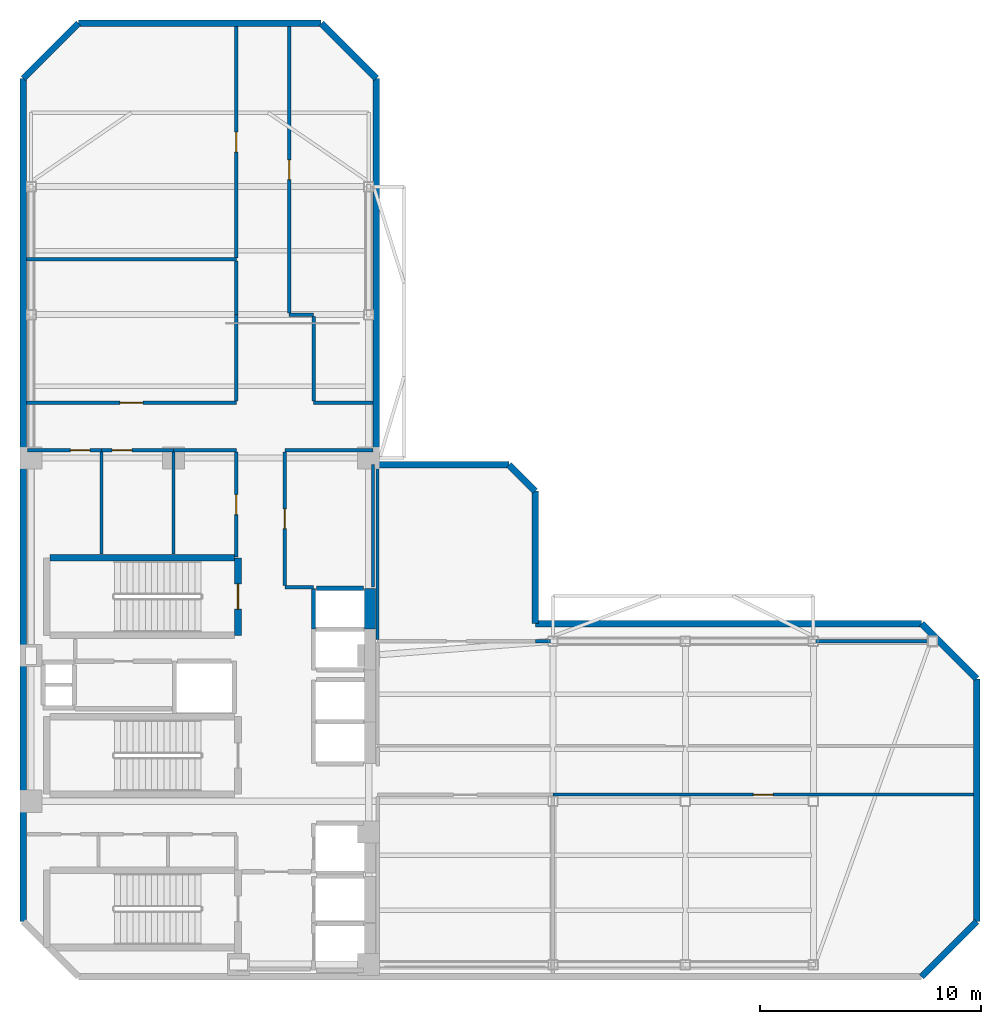
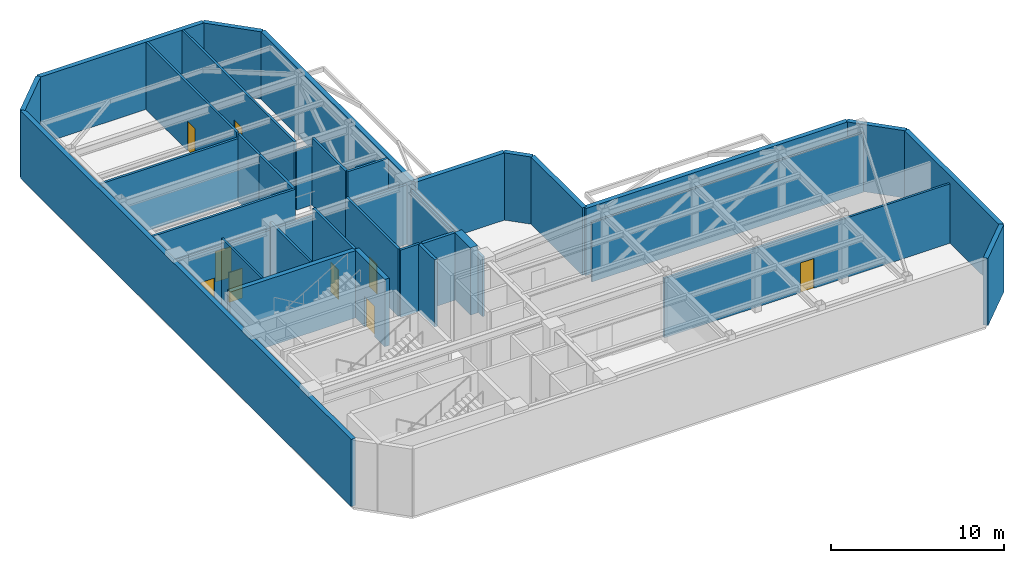
# One storey, part 4 of 7: 39 walls, 9 doors, 9 openings.
"""IFC4 building model written with IfcOpenShell, lengths in metres."""

from ifc_helpers import new_model, si_unit, direction, frame, frame_2d, origin, place, context, subcontext, project, spatial, rectangle, extrude, material, layer, layer_set, type_object, element, fill, save


model = new_model("IFC4")

# Units and contexts
model_context = context("Model", 3, precision=1e-05, world=origin(), true_north=direction((0.0, 1.0)))
body_context = subcontext(model_context, "Body", "Model", "MODEL_VIEW")
ifc_project = project(units=[si_unit("LENGTHUNIT", "METRE"), si_unit("AREAUNIT", "SQUARE_METRE"), si_unit("VOLUMEUNIT", "CUBIC_METRE"), si_unit("PLANEANGLEUNIT", "RADIAN"), si_unit("MASSUNIT", "GRAM", prefix="KILO")], contexts=[model_context])

# Site, building, storey
site_placement = place(None, origin())
site = spatial("IfcSite", under=ifc_project, at=site_placement, CompositionType="ELEMENT")
building_placement = place(site_placement, origin())
building = spatial("IfcBuilding", under=site, at=building_placement, Name="Mawjaban Terraces University", CompositionType="ELEMENT")
storey_placement = place(building_placement, frame((0.0, 0.0, 238.199951171875)))
storey = spatial("IfcBuildingStorey", under=building, at=storey_placement, Name="L58", CompositionType="ELEMENT", Elevation=238.199951171875)

# Wall
ifc_material_1 = material(Name="Concrete C60/75", Category="concrete")
ifc_layer_1 = layer(ifc_material_1, 0.5)
ifc_layer_set_1 = layer_set([ifc_layer_1], Name="Concrete C60/75")
wall_type_1 = type_object("IfcWallType", Name="CoreShearWall_500", PredefinedType="SHEAR", material=ifc_layer_set_1)
wall_1_placement = place(storey_placement, frame((37.699951171875, 15.75, 0.0), z_axis=(0.0, 0.0, 1.0), x_axis=(0.0, 1.0, 0.0)))
element("IfcWall", 1, at=wall_1_placement, inside=storey, type_object=wall_type_1, Name="L58 Lift OL-2 Hoistway Wall East", PredefinedType="SHEAR", context=body_context, shape_type="SweptSolid", body=[
    extrude(rectangle(XDim=1.85009765625, YDim=0.5, at=frame_2d((0.925048828125, 0.0))), origin(), (0.0, 0.0, 1.0), 4.739990234375),
])

# Wall, opening, door
ifc_material_2 = material(Name="Fire-rated gypsum board on steel stud", Category="steel")
ifc_layer_2 = layer(ifc_material_2, 0.159912109375)
ifc_layer_set_2 = layer_set([ifc_layer_2], Name="Fire-rated gypsum board on steel stud")
wall_type_2 = type_object("IfcWallType", Name="CorridorPartition_160", PredefinedType="PARTITIONING", material=ifc_layer_set_2)
wall_2_placement = place(storey_placement, frame((25.550048828125, 23.85009765625, 0.0), z_axis=(0.0, 0.0, 1.0), x_axis=(-1.0, 0.0, 0.0)))
wall_2 = element("IfcWall", 2, at=wall_2_placement, inside=storey, type_object=wall_type_2, Name="L58 Ablution Room Partition 5", PredefinedType="PARTITIONING", context=body_context, shape_type="SweptSolid", body=[
    extrude(rectangle(XDim=3.35009765625, YDim=0.159912109375, at=frame_2d((1.675048828125, 0.0))), origin(), (0.0, 0.0, 1.0), 4.18896484375),
])
opening_1_placement = place(wall_2_placement, frame((0.534912109375, 0.0, 0.0)))
opening_1 = element("IfcOpeningElement", 3, at=opening_1_placement, cuts=wall_2, Name="Opening ID-088", PredefinedType="OPENING", context=body_context, shape_type="SweptSolid", body=[
    extrude(rectangle(XDim=0.8798828125, YDim=2.10009765625, at=frame_2d((0.43994140625, 1.050048828125))), frame((0.0, 0.08984375, 0.0), z_axis=(0.0, -1.0, 0.0), x_axis=(1.0, 0.0, 0.0)), (0.0, 0.0, 1.0), 0.179931640625),
])
ifc_material_3 = material(Name="Powder-coated steel frame and solid acoustic timber leaf", Category="steel")
door_type_1 = type_object("IfcDoorType", Name="ToiletDoor_880x2100", OperationType="NOTDEFINED", PredefinedType="DOOR", material=ifc_material_3)
door_1_placement = place(opening_1_placement, origin())
door_1 = element("IfcDoor", 4, at=door_1_placement, inside=storey, type_object=door_type_1, Name="L58 Ablution Room Door", OperationType="SINGLE_SWING_LEFT", OverallHeight=2.10009765625, OverallWidth=0.8798828125, PredefinedType="DOOR", context=body_context, shape_type="SweptSolid", body=[
    extrude(rectangle(XDim=0.8798828125, YDim=2.10009765625, at=frame_2d((0.43994140625, 1.050048828125))), frame((0.0, 0.02490234375, 0.0), z_axis=(0.0, -1.0, 0.0), x_axis=(1.0, 0.0, 0.0)), (0.0, 0.0, 1.0), 0.050048828125),
])
fill(opening_1, door_1)

wall_3_placement = place(storey_placement, frame((28.800048828125, 23.85009765625, 0.0), z_axis=(0.0, 0.0, 1.0), x_axis=(-1.0, 0.0, 0.0)))
wall_3 = element("IfcWall", 5, at=wall_3_placement, inside=storey, type_object=wall_type_2, Name="L58 Cleaner Store Partition 7", PredefinedType="PARTITIONING", context=body_context, shape_type="SweptSolid", body=[
    extrude(rectangle(XDim=3.25, YDim=0.159912109375, at=frame_2d((1.625, 0.0))), origin(), (0.0, 0.0, 1.0), 4.18896484375),
])
opening_2_placement = place(wall_3_placement, frame((1.875, 0.0, 0.0)))
opening_2 = element("IfcOpeningElement", 6, at=opening_2_placement, cuts=wall_3, Name="Opening ID-090", PredefinedType="OPENING", context=body_context, shape_type="SweptSolid", body=[
    extrude(rectangle(XDim=0.89990234375, YDim=2.10009765625, at=frame_2d((0.449951171875, 1.050048828125))), frame((0.0, 0.08984375, 0.0), z_axis=(0.0, -1.0, 0.0), x_axis=(1.0, 0.0, 0.0)), (0.0, 0.0, 1.0), 0.179931640625),
])
door_type_2 = type_object("IfcDoorType", Name="OfficeDoor_900x2100", OperationType="NOTDEFINED", PredefinedType="DOOR", material=ifc_material_3)
door_2_placement = place(opening_2_placement, origin())
door_2 = element("IfcDoor", 7, at=door_2_placement, inside=storey, type_object=door_type_2, Name="L58 Cleaner Store Door", OperationType="SINGLE_SWING_RIGHT", OverallHeight=2.10009765625, OverallWidth=0.89990234375, PredefinedType="DOOR", context=body_context, shape_type="SweptSolid", body=[
    extrude(rectangle(XDim=0.89990234375, YDim=2.10009765625, at=frame_2d((0.449951171875, 1.050048828125))), frame((0.0, 0.02490234375, 0.0), z_axis=(0.0, -1.0, 0.0), x_axis=(1.0, 0.0, 0.0)), (0.0, 0.0, 1.0), 0.050048828125),
])
fill(opening_2, door_2)

# Wall
wall_4_placement = place(storey_placement, frame((31.64990234375, 23.85009765625, 0.0), z_axis=(0.0, 0.0, 1.0), x_axis=(-1.0, 0.0, 0.0)))
element("IfcWall", 8, at=wall_4_placement, inside=storey, type_object=wall_type_2, Name="L58 Zone Electrical Switchgear Room Partition 9", PredefinedType="PARTITIONING", context=body_context, shape_type="SweptSolid", body=[
    extrude(rectangle(XDim=2.849853515625, YDim=0.159912109375, at=frame_2d((1.4248046875, 0.0))), origin(), (0.0, 0.0, 1.0), 4.18896484375),
])

# Wall, opening, door
wall_5_placement = place(storey_placement, frame((31.64990234375, 26.0, 0.0), z_axis=(0.0, 0.0, 1.0), x_axis=(-1.0, 0.0, 0.0)))
wall_5 = element("IfcWall", 9, at=wall_5_placement, inside=storey, type_object=wall_type_2, Name="L58 North Core Cross-Corridor Partition 10", PredefinedType="PARTITIONING", context=body_context, shape_type="SweptSolid", body=[
    extrude(rectangle(XDim=9.5048828125, YDim=0.159912109375, at=frame_2d((4.75244140625, 0.0))), origin(), (0.0, 0.0, 1.0), 4.739990234375),
])
opening_3_placement = place(wall_5_placement, frame((4.22705078125, 0.0, 0.0)))
opening_3 = element("IfcOpeningElement", 10, at=opening_3_placement, cuts=wall_5, Name="Opening FD-105", PredefinedType="OPENING", context=body_context, shape_type="SweptSolid", body=[
    extrude(rectangle(XDim=1.050048828125, YDim=2.14990234375, at=frame_2d((0.52490234375, 1.074951171875))), frame((0.0, 0.08984375, 0.0), z_axis=(0.0, -1.0, 0.0), x_axis=(1.0, 0.0, 0.0)), (0.0, 0.0, 1.0), 0.179931640625),
])
ifc_material_4 = material(Name="Powder-coated steel frame and fire-rated steel-faced leaf", Category="steel")
door_type_3 = type_object("IfcDoorType", Name="FireLobbyDoor_1050x2150", OperationType="NOTDEFINED", PredefinedType="DOOR", material=ifc_material_4)
door_3_placement = place(opening_3_placement, origin())
door_3 = element("IfcDoor", 11, at=door_3_placement, inside=storey, type_object=door_type_3, Name="L58 Designated Smoke-Protected Refuge Area North Door", OperationType="SINGLE_SWING_RIGHT", OverallHeight=2.14990234375, OverallWidth=1.050048828125, PredefinedType="DOOR", context=body_context, shape_type="SweptSolid", body=[
    extrude(rectangle(XDim=1.050048828125, YDim=2.14990234375, at=frame_2d((0.52490234375, 1.074951171875))), frame((0.0, 0.02490234375, 0.0), z_axis=(0.0, -1.0, 0.0), x_axis=(1.0, 0.0, 0.0)), (0.0, 0.0, 1.0), 0.050048828125),
])
fill(opening_3, door_3)

# Walls
wall_6_placement = place(storey_placement, frame((31.64990234375, 32.5, 0.0), z_axis=(0.0, 0.0, 1.0), x_axis=(-1.0, 0.0, 0.0)))
element("IfcWall", 12, at=wall_6_placement, inside=storey, type_object=wall_type_2, Name="L58 Designated Smoke-Protected Refuge Area North Partition 11", PredefinedType="PARTITIONING", context=body_context, shape_type="SweptSolid", body=[
    extrude(rectangle(XDim=9.5048828125, YDim=0.159912109375, at=frame_2d((4.75244140625, 0.0))), origin(), (0.0, 0.0, 1.0), 4.39306640625),
])
wall_7_placement = place(storey_placement, frame((33.85009765625, 17.64990234375, 0.0), z_axis=(0.0, 0.0, 1.0), x_axis=(1.0, 0.0, 0.0)))
element("IfcWall", 13, at=wall_7_placement, inside=storey, type_object=wall_type_2, Name="L58 Zone Ventilation Fan Plant Room Partition 12", PredefinedType="PARTITIONING", context=body_context, shape_type="SweptSolid", body=[
    extrude(rectangle(XDim=1.2998046875, YDim=0.159912109375, at=frame_2d((0.64990234375, 0.0))), origin(), (0.0, 0.0, 1.0), 4.739990234375),
])
wall_8_placement = place(storey_placement, frame((35.14990234375, 30.0, 0.0), z_axis=(0.0, 0.0, 1.0), x_axis=(-1.0, 0.0, 0.0)))
element("IfcWall", 14, at=wall_8_placement, inside=storey, type_object=wall_type_2, Name="L58 North Stair Refuge Vestibule Lobby Partition 14", PredefinedType="PARTITIONING", context=body_context, shape_type="SweptSolid", body=[
    extrude(rectangle(XDim=1.099853515625, YDim=0.159912109375, at=frame_2d((0.5498046875, 0.0))), origin(), (0.0, 0.0, 1.0), 4.18896484375),
])
wall_9_placement = place(storey_placement, frame((37.85009765625, 23.85009765625, 0.0), z_axis=(0.0, 0.0, 1.0), x_axis=(-1.0, 0.0, 0.0)))
element("IfcWall", 15, at=wall_9_placement, inside=storey, type_object=wall_type_2, Name="L58 Zone Ventilation Fan Plant Room Partition 15", PredefinedType="PARTITIONING", context=body_context, shape_type="SweptSolid", body=[
    extrude(rectangle(XDim=4.0, YDim=0.159912109375, at=frame_2d((2.0, 0.0))), origin(), (0.0, 0.0, 1.0), 4.18896484375),
])
wall_10_placement = place(storey_placement, frame((37.85498046875, 26.0, 0.0), z_axis=(0.0, 0.0, 1.0), x_axis=(-1.0, 0.0, 0.0)))
element("IfcWall", 16, at=wall_10_placement, inside=storey, type_object=wall_type_2, Name="L58 North Core Cross-Corridor Partition 16", PredefinedType="PARTITIONING", context=body_context, shape_type="SweptSolid", body=[
    extrude(rectangle(XDim=2.705078125, YDim=0.159912109375, at=frame_2d((1.3525390625, 0.0))), origin(), (0.0, 0.0, 1.0), 4.739990234375),
])

# Wall, opening, door
wall_11_placement = place(storey_placement, frame((31.64990234375, 19.010009765625, 0.0), z_axis=(0.0, 0.0, 1.0), x_axis=(0.0, 1.0, 0.0)))
wall_11 = element("IfcWall", 17, at=wall_11_placement, inside=storey, type_object=wall_type_2, Name="L58 Zone Electrical Switchgear Room Partition 28", PredefinedType="PARTITIONING", context=body_context, shape_type="SweptSolid", body=[
    extrude(rectangle(XDim=4.764892578125, YDim=0.159912109375, at=frame_2d((2.38232421875, 0.0))), origin(), (0.0, 0.0, 1.0), 4.739990234375),
])
opening_4_placement = place(wall_11_placement, frame((1.931884765625, 0.0, 0.0)))
opening_4 = element("IfcOpeningElement", 18, at=opening_4_placement, cuts=wall_11, Name="Opening ID-090", PredefinedType="OPENING", context=body_context, shape_type="SweptSolid", body=[
    extrude(rectangle(XDim=0.89990234375, YDim=2.10009765625, at=frame_2d((0.449951171875, 1.050048828125))), frame((0.0, 0.08984375, 0.0), z_axis=(0.0, -1.0, 0.0), x_axis=(1.0, 0.0, 0.0)), (0.0, 0.0, 1.0), 0.179931640625),
])
door_4_placement = place(opening_4_placement, origin())
door_4 = element("IfcDoor", 19, at=door_4_placement, inside=storey, type_object=door_type_2, Name="L58 Zone Electrical Switchgear Room Door", OperationType="SINGLE_SWING_RIGHT", OverallHeight=2.10009765625, OverallWidth=0.89990234375, PredefinedType="DOOR", context=body_context, shape_type="SweptSolid", body=[
    extrude(rectangle(XDim=0.89990234375, YDim=2.10009765625, at=frame_2d((0.449951171875, 1.050048828125))), frame((0.0, 0.02490234375, 0.0), z_axis=(0.0, -1.0, 0.0), x_axis=(1.0, 0.0, 0.0)), (0.0, 0.0, 1.0), 0.050048828125),
])
fill(opening_4, door_4)

# Walls
wall_12_placement = place(storey_placement, frame((31.64990234375, 30.0, 0.0), z_axis=(0.0, 0.0, 1.0), x_axis=(0.0, -1.0, 0.0)))
element("IfcWall", 20, at=wall_12_placement, inside=storey, type_object=wall_type_2, Name="L58 North Stair Refuge Vestibule Lobby Partition 29", PredefinedType="PARTITIONING", context=body_context, shape_type="SweptSolid", body=[
    extrude(rectangle(XDim=3.925048828125, YDim=0.159912109375, at=frame_2d((1.96240234375, 0.0))), origin(), (0.0, 0.0, 1.0), 4.739990234375),
])
wall_13_placement = place(storey_placement, frame((31.64990234375, 30.0, 0.0), z_axis=(0.0, 0.0, 1.0), x_axis=(0.0, 1.0, 0.0)))
element("IfcWall", 21, at=wall_13_placement, inside=storey, type_object=wall_type_2, Name="L58 Designated Smoke-Protected Refuge Area North Partition 30", PredefinedType="PARTITIONING", context=body_context, shape_type="SweptSolid", body=[
    extrude(rectangle(XDim=2.425048828125, YDim=0.159912109375, at=frame_2d((1.21240234375, 0.0))), origin(), (0.0, 0.0, 1.0), 4.739990234375),
])

# Wall, opening, door
wall_14_placement = place(storey_placement, frame((33.85009765625, 17.72509765625, 0.0), z_axis=(0.0, 0.0, 1.0), x_axis=(0.0, 1.0, 0.0)))
wall_14 = element("IfcWall", 22, at=wall_14_placement, inside=storey, type_object=wall_type_2, Name="L58 Core North Lift Lobby Partition 32", PredefinedType="PARTITIONING", context=body_context, shape_type="SweptSolid", body=[
    extrude(rectangle(XDim=6.0498046875, YDim=0.159912109375, at=frame_2d((3.02490234375, 0.0))), origin(), (0.0, 0.0, 1.0), 4.739990234375),
])
opening_5_placement = place(wall_14_placement, frame((2.574951171875, 0.0, 0.0)))
opening_5 = element("IfcOpeningElement", 23, at=opening_5_placement, cuts=wall_14, Name="Opening ID-090", PredefinedType="OPENING", context=body_context, shape_type="SweptSolid", body=[
    extrude(rectangle(XDim=0.89990234375, YDim=2.10009765625, at=frame_2d((0.449951171875, 1.050048828125))), frame((0.0, 0.08984375, 0.0), z_axis=(0.0, -1.0, 0.0), x_axis=(1.0, 0.0, 0.0)), (0.0, 0.0, 1.0), 0.179931640625),
])
door_5_placement = place(opening_5_placement, origin())
door_5 = element("IfcDoor", 24, at=door_5_placement, inside=storey, type_object=door_type_2, Name="L58 Zone Ventilation Fan Plant Room Door", OperationType="SINGLE_SWING_LEFT", OverallHeight=2.10009765625, OverallWidth=0.89990234375, PredefinedType="DOOR", context=body_context, shape_type="SweptSolid", body=[
    extrude(rectangle(XDim=0.89990234375, YDim=2.10009765625, at=frame_2d((0.449951171875, 1.050048828125))), frame((0.0, 0.02490234375, 0.0), z_axis=(0.0, -1.0, 0.0), x_axis=(1.0, 0.0, 0.0)), (0.0, 0.0, 1.0), 0.050048828125),
])
fill(opening_5, door_5)

# Walls
wall_15_placement = place(storey_placement, frame((35.14990234375, 26.074951171875, 0.0), z_axis=(0.0, 0.0, 1.0), x_axis=(0.0, 1.0, 0.0)))
element("IfcWall", 25, at=wall_15_placement, inside=storey, type_object=wall_type_2, Name="L58 North Stair Refuge Vestibule Lobby Partition 34", PredefinedType="PARTITIONING", context=body_context, shape_type="SweptSolid", body=[
    extrude(rectangle(XDim=3.85009765625, YDim=0.159912109375, at=frame_2d((1.925048828125, 0.0))), origin(), (0.0, 0.0, 1.0), 4.739990234375),
])
ifc_material_5 = material(Name="Insulated terracotta rainscreen on concrete backup C40/50", Category="masonry")
ifc_layer_3 = layer(ifc_material_5, 0.300048828125)
ifc_layer_set_3 = layer_set([ifc_layer_3], Name="Insulated terracotta rainscreen on concrete backup C40/50")
wall_type_3 = type_object("IfcWallType", Name="ExtTerracottaWall_300", PredefinedType="SOLIDWALL", material=ifc_layer_set_3)
wall_16_placement = place(storey_placement, frame((62.699951171875, 0.0, 0.0), z_axis=(0.0, 0.0, 1.0), x_axis=(0.707106781187, 0.707106781187, 0.0)))
element("IfcWall", 26, at=wall_16_placement, inside=storey, type_object=wall_type_3, Name="L58 Exterior Terracotta Wall 2", PredefinedType="SOLIDWALL", context=body_context, shape_type="SweptSolid", body=[
    extrude(rectangle(XDim=3.53564453125, YDim=0.300048828125, at=frame_2d((1.767822265625, 0.0))), origin(), (0.0, 0.0, 1.0), 4.739990234375),
])
wall_17_placement = place(storey_placement, frame((65.199951171875, 2.5, 0.0), z_axis=(0.0, 0.0, 1.0), x_axis=(0.0, 1.0, 0.0)))
element("IfcWall", 27, at=wall_17_placement, inside=storey, type_object=wall_type_3, Name="L58 Exterior Terracotta Wall 3", PredefinedType="SOLIDWALL", context=body_context, shape_type="SweptSolid", body=[
    extrude(rectangle(XDim=11.0, YDim=0.300048828125, at=frame_2d((5.5, 0.0))), origin(), (0.0, 0.0, 1.0), 4.739990234375),
])
wall_18_placement = place(storey_placement, frame((65.199951171875, 13.5, 0.0), z_axis=(0.0, 0.0, 1.0), x_axis=(-0.707106781187, 0.707106781187, 0.0)))
element("IfcWall", 28, at=wall_18_placement, inside=storey, type_object=wall_type_3, Name="L58 Exterior Terracotta Wall 4", PredefinedType="SOLIDWALL", context=body_context, shape_type="SweptSolid", body=[
    extrude(rectangle(XDim=3.53564453125, YDim=0.300048828125, at=frame_2d((1.767822265625, 0.0))), origin(), (0.0, 0.0, 1.0), 4.739990234375),
])
wall_19_placement = place(storey_placement, frame((62.699951171875, 16.0, 0.0), z_axis=(0.0, 0.0, 1.0), x_axis=(-1.0, 0.0, 0.0)))
element("IfcWall", 29, at=wall_19_placement, inside=storey, type_object=wall_type_3, Name="L58 Exterior Terracotta Wall 5", PredefinedType="SOLIDWALL", context=body_context, shape_type="SweptSolid", body=[
    extrude(rectangle(XDim=17.5, YDim=0.300048828125, at=frame_2d((8.75, 0.0))), origin(), (0.0, 0.0, 1.0), 4.739990234375),
])
wall_20_placement = place(storey_placement, frame((45.199951171875, 16.0, 0.0), z_axis=(0.0, 0.0, 1.0), x_axis=(0.0, 1.0, 0.0)))
element("IfcWall", 30, at=wall_20_placement, inside=storey, type_object=wall_type_3, Name="L58 Exterior Terracotta Wall 6", PredefinedType="SOLIDWALL", context=body_context, shape_type="SweptSolid", body=[
    extrude(rectangle(XDim=6.0, YDim=0.300048828125, at=frame_2d((3.0, 0.0))), origin(), (0.0, 0.0, 1.0), 4.739990234375),
])
wall_21_placement = place(storey_placement, frame((45.199951171875, 22.0, 0.0), z_axis=(0.0, 0.0, 1.0), x_axis=(-0.707106781187, 0.707106781187, 0.0)))
element("IfcWall", 31, at=wall_21_placement, inside=storey, type_object=wall_type_3, Name="L58 Exterior Terracotta Wall 7", PredefinedType="SOLIDWALL", context=body_context, shape_type="SweptSolid", body=[
    extrude(rectangle(XDim=1.697021484375, YDim=0.300048828125, at=frame_2d((0.8486328125, 0.0))), origin(), (0.0, 0.0, 1.0), 4.739990234375),
])
wall_22_placement = place(storey_placement, frame((44.0, 23.199951171875, 0.0), z_axis=(0.0, 0.0, 1.0), x_axis=(-1.0, 0.0, 0.0)))
element("IfcWall", 32, at=wall_22_placement, inside=storey, type_object=wall_type_3, Name="L58 Exterior Terracotta Wall 8", PredefinedType="SOLIDWALL", context=body_context, shape_type="SweptSolid", body=[
    extrude(rectangle(XDim=6.0, YDim=0.300048828125, at=frame_2d((3.0, 0.0))), origin(), (0.0, 0.0, 1.0), 4.739990234375),
])
wall_23_placement = place(storey_placement, frame((38.0, 23.199951171875, 0.0), z_axis=(0.0, 0.0, 1.0), x_axis=(0.0, 1.0, 0.0)))
element("IfcWall", 33, at=wall_23_placement, inside=storey, type_object=wall_type_3, Name="L58 Exterior Terracotta Wall 9", PredefinedType="SOLIDWALL", context=body_context, shape_type="SweptSolid", body=[
    extrude(rectangle(XDim=17.5, YDim=0.300048828125, at=frame_2d((8.75, 0.0))), origin(), (0.0, 0.0, 1.0), 4.739990234375),
])
wall_24_placement = place(storey_placement, frame((38.0, 40.699951171875, 0.0), z_axis=(0.0, 0.0, 1.0), x_axis=(-0.707106781187, 0.707106781187, 0.0)))
element("IfcWall", 34, at=wall_24_placement, inside=storey, type_object=wall_type_3, Name="L58 Exterior Terracotta Wall 10", PredefinedType="SOLIDWALL", context=body_context, shape_type="SweptSolid", body=[
    extrude(rectangle(XDim=3.53564453125, YDim=0.300048828125, at=frame_2d((1.767822265625, 0.0))), origin(), (0.0, 0.0, 1.0), 4.739990234375),
])
wall_25_placement = place(storey_placement, frame((35.5, 43.199951171875, 0.0), z_axis=(0.0, 0.0, 1.0), x_axis=(-1.0, 0.0, 0.0)))
element("IfcWall", 35, at=wall_25_placement, inside=storey, type_object=wall_type_3, Name="L58 Exterior Terracotta Wall 11", PredefinedType="SOLIDWALL", context=body_context, shape_type="SweptSolid", body=[
    extrude(rectangle(XDim=11.0, YDim=0.300048828125, at=frame_2d((5.5, 0.0))), origin(), (0.0, 0.0, 1.0), 4.739990234375),
])
wall_26_placement = place(storey_placement, frame((24.5, 43.199951171875, 0.0), z_axis=(0.0, 0.0, 1.0), x_axis=(-0.707106781187, -0.707106781187, 0.0)))
element("IfcWall", 36, at=wall_26_placement, inside=storey, type_object=wall_type_3, Name="L58 Exterior Terracotta Wall 12", PredefinedType="SOLIDWALL", context=body_context, shape_type="SweptSolid", body=[
    extrude(rectangle(XDim=3.53564453125, YDim=0.300048828125, at=frame_2d((1.767822265625, 0.0))), origin(), (0.0, 0.0, 1.0), 4.739990234375),
])
wall_27_placement = place(storey_placement, frame((22.0, 40.699951171875, 0.0), z_axis=(0.0, 0.0, 1.0), x_axis=(0.0, -1.0, 0.0)))
element("IfcWall", 37, at=wall_27_placement, inside=storey, type_object=wall_type_3, Name="L58 Exterior Terracotta Wall 13", PredefinedType="SOLIDWALL", context=body_context, shape_type="SweptSolid", body=[
    extrude(rectangle(XDim=38.199951171875, YDim=0.300048828125, at=frame_2d((19.10009765625, 0.0))), origin(), (0.0, 0.0, 1.0), 4.739990234375),
])
ifc_material_6 = material(Name="Concrete C40/50", Category="concrete")
ifc_layer_4 = layer(ifc_material_6, 0.199951171875)
ifc_layer_set_4 = layer_set([ifc_layer_4], Name="Concrete C40/50")
wall_type_4 = type_object("IfcWallType", Name="FireLobbyWall_200", PredefinedType="SOLIDWALL", material=ifc_layer_set_4)
wall_28_placement = place(storey_placement, frame((35.14990234375, 17.60009765625, 0.0), z_axis=(0.0, 0.0, 1.0), x_axis=(0.0, -1.0, 0.0)))
element("IfcWall", 38, at=wall_28_placement, inside=storey, type_object=wall_type_4, Name="L58 Lift OL-2 Hoistway Wall West", PredefinedType="SOLIDWALL", context=body_context, shape_type="SweptSolid", body=[
    extrude(rectangle(XDim=1.85009765625, YDim=0.199951171875, at=frame_2d((0.925048828125, 0.0))), origin(), (0.0, 0.0, 1.0), 4.739990234375),
])
wall_29_placement = place(storey_placement, frame((37.419921875, 17.60009765625, 0.0), z_axis=(0.0, 0.0, 1.0), x_axis=(-1.0, 0.0, 0.0)))
element("IfcWall", 39, at=wall_29_placement, inside=storey, type_object=wall_type_4, Name="L58 Lift OL-2 Hoistway Wall North", PredefinedType="SOLIDWALL", context=body_context, shape_type="SweptSolid", body=[
    extrude(rectangle(XDim=2.139892578125, YDim=0.199951171875, at=frame_2d((1.06982421875, 0.0))), origin(), (0.0, 0.0, 1.0), 4.739990234375),
])

# Wall, opening, door
ifc_material_7 = material(Name="Moisture-resistant gypsum board on steel stud", Category="steel")
ifc_layer_5 = layer(ifc_material_7, 0.14501953125)
ifc_layer_set_5 = layer_set([ifc_layer_5], Name="Moisture-resistant gypsum board on steel stud")
wall_type_5 = type_object("IfcWallType", Name="LabPartition_145", PredefinedType="PARTITIONING", material=ifc_layer_set_5)
wall_30_placement = place(storey_placement, frame((46.0, 8.25, 0.0), z_axis=(0.0, 0.0, 1.0), x_axis=(1.0, 0.0, 0.0)))
wall_30 = element("IfcWall", 40, at=wall_30_placement, inside=storey, type_object=wall_type_5, Name="L58 Mechanical Plant Service Corridor East Partition 19", PredefinedType="PARTITIONING", context=body_context, shape_type="SweptSolid", body=[
    extrude(rectangle(XDim=19.054931640625, YDim=0.14501953125, at=frame_2d((9.52734375, 0.0))), origin(), (0.0, 0.0, 1.0), 4.18896484375),
])
opening_6_placement = place(wall_30_placement, frame((9.077880859375, 0.0, 0.0)))
opening_6 = element("IfcOpeningElement", 41, at=opening_6_placement, cuts=wall_30, Name="Opening ID-090", PredefinedType="OPENING", context=body_context, shape_type="SweptSolid", body=[
    extrude(rectangle(XDim=0.89990234375, YDim=2.10009765625, at=frame_2d((0.449951171875, 1.050048828125))), frame((0.0, 0.08251953125, 0.0), z_axis=(0.0, -1.0, 0.0), x_axis=(1.0, 0.0, 0.0)), (0.0, 0.0, 1.0), 0.1650390625),
])
door_6_placement = place(opening_6_placement, origin())
door_6 = element("IfcDoor", 42, at=door_6_placement, inside=storey, type_object=door_type_2, Name="L58 Zoned Dedicated Outdoor Air Plant Room Door", OperationType="SINGLE_SWING_LEFT", OverallHeight=2.10009765625, OverallWidth=0.89990234375, PredefinedType="DOOR", context=body_context, shape_type="SweptSolid", body=[
    extrude(rectangle(XDim=0.89990234375, YDim=2.10009765625, at=frame_2d((0.449951171875, 1.050048828125))), frame((0.0, 0.02490234375, 0.0), z_axis=(0.0, -1.0, 0.0), x_axis=(1.0, 0.0, 0.0)), (0.0, 0.0, 1.0), 0.050048828125),
])
fill(opening_6, door_6)

# Walls
wall_31_placement = place(storey_placement, frame((63.294921875, 15.199951171875, 0.0), z_axis=(0.0, 0.0, 1.0), x_axis=(-1.0, 0.0, 0.0)))
element("IfcWall", 43, at=wall_31_placement, inside=storey, type_object=wall_type_5, Name="L58 Heat Recovery Ventilation Fan Room Partition 20", PredefinedType="PARTITIONING", context=body_context, shape_type="SweptSolid", body=[
    extrude(rectangle(XDim=18.094970703125, YDim=0.14501953125, at=frame_2d((9.04736328125, 0.0))), origin(), (0.0, 0.0, 1.0), 4.18896484375),
])
wall_32_placement = place(storey_placement, frame((28.800048828125, 23.77490234375, 0.0), z_axis=(0.0, 0.0, 1.0), x_axis=(0.0, -1.0, 0.0)))
element("IfcWall", 44, at=wall_32_placement, inside=storey, type_object=wall_type_5, Name="L58 Zone Electrical Switchgear Room Partition 26", PredefinedType="PARTITIONING", context=body_context, shape_type="SweptSolid", body=[
    extrude(rectangle(XDim=4.614990234375, YDim=0.14501953125, at=frame_2d((2.3076171875, 0.0))), origin(), (0.0, 0.0, 1.0), 4.739990234375),
])

# Wall, opening, door
wall_33_placement = place(storey_placement, frame((31.64990234375, 43.054931640625, 0.0), z_axis=(0.0, 0.0, 1.0), x_axis=(0.0, -1.0, 0.0)))
wall_33 = element("IfcWall", 45, at=wall_33_placement, inside=storey, type_object=wall_type_5, Name="L58 Mechanical Plant Service Corridor North Partition 31", PredefinedType="PARTITIONING", context=body_context, shape_type="SweptSolid", body=[
    extrude(rectangle(XDim=10.47998046875, YDim=0.14501953125, at=frame_2d((5.239990234375, 0.0))), origin(), (0.0, 0.0, 1.0), 4.739990234375),
])
opening_7_placement = place(wall_33_placement, frame((4.7900390625, 0.0, 0.0)))
opening_7 = element("IfcOpeningElement", 46, at=opening_7_placement, cuts=wall_33, Name="Opening ID-090", PredefinedType="OPENING", context=body_context, shape_type="SweptSolid", body=[
    extrude(rectangle(XDim=0.89990234375, YDim=2.10009765625, at=frame_2d((0.449951171875, 1.050048828125))), frame((0.0, 0.08251953125, 0.0), z_axis=(0.0, -1.0, 0.0), x_axis=(1.0, 0.0, 0.0)), (0.0, 0.0, 1.0), 0.1650390625),
])
door_7_placement = place(opening_7_placement, origin())
door_7 = element("IfcDoor", 47, at=door_7_placement, inside=storey, type_object=door_type_2, Name="L58 Zone Electrical Transformer and Switchgear Room Door", OperationType="SINGLE_SWING_LEFT", OverallHeight=2.10009765625, OverallWidth=0.89990234375, PredefinedType="DOOR", context=body_context, shape_type="SweptSolid", body=[
    extrude(rectangle(XDim=0.89990234375, YDim=2.10009765625, at=frame_2d((0.449951171875, 1.050048828125))), frame((0.0, 0.02490234375, 0.0), z_axis=(0.0, -1.0, 0.0), x_axis=(1.0, 0.0, 0.0)), (0.0, 0.0, 1.0), 0.050048828125),
])
fill(opening_7, door_7)

wall_34_placement = place(storey_placement, frame((34.050048828125, 30.074951171875, 0.0), z_axis=(0.0, 0.0, 1.0), x_axis=(0.0, 1.0, 0.0)))
wall_34 = element("IfcWall", 48, at=wall_34_placement, inside=storey, type_object=wall_type_5, Name="L58 Mechanical Plant Service Corridor North Partition 33", PredefinedType="PARTITIONING", context=body_context, shape_type="SweptSolid", body=[
    extrude(rectangle(XDim=12.97998046875, YDim=0.14501953125, at=frame_2d((6.489990234375, 0.0))), origin(), (0.0, 0.0, 1.0), 4.739990234375),
])
opening_8_placement = place(wall_34_placement, frame((6.0400390625, 0.0, 0.0)))
opening_8 = element("IfcOpeningElement", 49, at=opening_8_placement, cuts=wall_34, Name="Opening ID-090", PredefinedType="OPENING", context=body_context, shape_type="SweptSolid", body=[
    extrude(rectangle(XDim=0.89990234375, YDim=2.10009765625, at=frame_2d((0.449951171875, 1.050048828125))), frame((0.0, 0.08251953125, 0.0), z_axis=(0.0, -1.0, 0.0), x_axis=(1.0, 0.0, 0.0)), (0.0, 0.0, 1.0), 0.1650390625),
])
door_8_placement = place(opening_8_placement, origin())
door_8 = element("IfcDoor", 50, at=door_8_placement, inside=storey, type_object=door_type_2, Name="L58 Intermediate Chilled Water Heat Exchanger Room Door", OperationType="SINGLE_SWING_RIGHT", OverallHeight=2.10009765625, OverallWidth=0.89990234375, PredefinedType="DOOR", context=body_context, shape_type="SweptSolid", body=[
    extrude(rectangle(XDim=0.89990234375, YDim=2.10009765625, at=frame_2d((0.449951171875, 1.050048828125))), frame((0.0, 0.02490234375, 0.0), z_axis=(0.0, -1.0, 0.0), x_axis=(1.0, 0.0, 0.0)), (0.0, 0.0, 1.0), 0.050048828125),
])
fill(opening_8, door_8)

# Walls
wall_35_placement = place(storey_placement, frame((37.85009765625, 17.64990234375, 0.0), z_axis=(0.0, 0.0, 1.0), x_axis=(0.0, 1.0, 0.0)))
element("IfcWall", 51, at=wall_35_placement, inside=storey, type_object=wall_type_5, Name="L58 Zone Ventilation Fan Plant Room Partition 35", PredefinedType="PARTITIONING", context=body_context, shape_type="SweptSolid", body=[
    extrude(rectangle(XDim=5.550048828125, YDim=0.14501953125, at=frame_2d((2.77490234375, 0.0))), origin(), (0.0, 0.0, 1.0), 4.18896484375),
])
wall_36_placement = place(storey_placement, frame((38.050048828125, 23.054931640625, 0.0), z_axis=(0.0, 0.0, 1.0), x_axis=(0.0, -1.0, 0.0)))
element("IfcWall", 52, at=wall_36_placement, inside=storey, type_object=wall_type_5, Name="L58 Booster Pump and Break Tank Plant Room Partition 40", PredefinedType="PARTITIONING", context=body_context, shape_type="SweptSolid", body=[
    extrude(rectangle(XDim=7.786865234375, YDim=0.14501953125, at=frame_2d((3.8935546875, 0.0))), origin(), (0.0, 0.0, 1.0), 4.18896484375),
])
ifc_layer_6 = layer(ifc_material_1, 0.300048828125)
ifc_layer_set_6 = layer_set([ifc_layer_6], Name="Concrete C60/75")
wall_type_6 = type_object("IfcWallType", Name="StairShaftWall_300", PredefinedType="SHEAR", material=ifc_layer_set_6)
wall_37_placement = place(storey_placement, frame((31.580078125, 18.97998046875, 0.0), z_axis=(0.0, 0.0, 1.0), x_axis=(-1.0, 0.0, 0.0)))
element("IfcWall", 53, at=wall_37_placement, inside=storey, type_object=wall_type_6, Name="L58 ST-2 Stair Shaft Wall 1", PredefinedType="SHEAR", context=body_context, shape_type="SweptSolid", body=[
    extrude(rectangle(XDim=8.360107421875, YDim=0.300048828125, at=frame_2d((4.18017578125, 0.0))), origin(), (0.0, 0.0, 1.0), 4.739990234375),
])

# Wall, opening, door
wall_38_placement = place(storey_placement, frame((31.72998046875, 15.469970703125, 0.0), z_axis=(0.0, 0.0, 1.0), x_axis=(0.0, 1.0, 0.0)))
wall_38 = element("IfcWall", 54, at=wall_38_placement, inside=storey, type_object=wall_type_6, Name="L58 ST-2 Stair Shaft Wall 4", PredefinedType="SHEAR", context=body_context, shape_type="SweptSolid", body=[
    extrude(rectangle(XDim=3.510009765625, YDim=0.300048828125, at=frame_2d((1.7548828125, 0.0))), origin(), (0.0, 0.0, 1.0), 4.739990234375),
])
opening_9_placement = place(wall_38_placement, frame((1.179931640625, 0.0, 0.0)))
opening_9 = element("IfcOpeningElement", 55, at=opening_9_placement, cuts=wall_38, Name="Opening FD-115", PredefinedType="OPENING", context=body_context, shape_type="SweptSolid", body=[
    extrude(rectangle(XDim=1.14990234375, YDim=2.14990234375, at=frame_2d((0.574951171875, 1.074951171875))), frame((0.0, 0.159912109375, 0.0), z_axis=(0.0, -1.0, 0.0), x_axis=(1.0, 0.0, 0.0)), (0.0, 0.0, 1.0), 0.320068359375),
])
door_type_4 = type_object("IfcDoorType", Name="FireStairDoor_1150x2150", OperationType="NOTDEFINED", PredefinedType="DOOR", material=ifc_material_4)
door_9_placement = place(opening_9_placement, origin())
door_9 = element("IfcDoor", 56, at=door_9_placement, inside=storey, type_object=door_type_4, Name="L58 ST-2 Pressurised Stair Fire Door", OperationType="SINGLE_SWING_RIGHT", OverallHeight=2.14990234375, OverallWidth=1.14990234375, PredefinedType="DOOR", context=body_context, shape_type="SweptSolid", body=[
    extrude(rectangle(XDim=1.14990234375, YDim=2.14990234375, at=frame_2d((0.574951171875, 1.074951171875))), frame((0.0, 0.02490234375, 0.0), z_axis=(0.0, -1.0, 0.0), x_axis=(1.0, 0.0, 0.0)), (0.0, 0.0, 1.0), 0.050048828125),
])
fill(opening_9, door_9)

# Wall
ifc_material_8 = material(Name="Cement-board wet-room partition", Category="masonry")
ifc_layer_7 = layer(ifc_material_8, 0.135009765625)
ifc_layer_set_7 = layer_set([ifc_layer_7], Name="Cement-board wet-room partition")
wall_type_7 = type_object("IfcWallType", Name="WetRoomPartition_135", PredefinedType="PARTITIONING", material=ifc_layer_set_7)
wall_39_placement = place(storey_placement, frame((25.550048828125, 19.159912109375, 0.0), z_axis=(0.0, 0.0, 1.0), x_axis=(0.0, 1.0, 0.0)))
element("IfcWall", 57, at=wall_39_placement, inside=storey, type_object=wall_type_7, Name="L58 Ablution Room Partition 24", PredefinedType="PARTITIONING", context=body_context, shape_type="SweptSolid", body=[
    extrude(rectangle(XDim=4.614990234375, YDim=0.135009765625, at=frame_2d((2.3076171875, 0.0))), origin(), (0.0, 0.0, 1.0), 4.739990234375),
])

save(model, "model.ifc")
